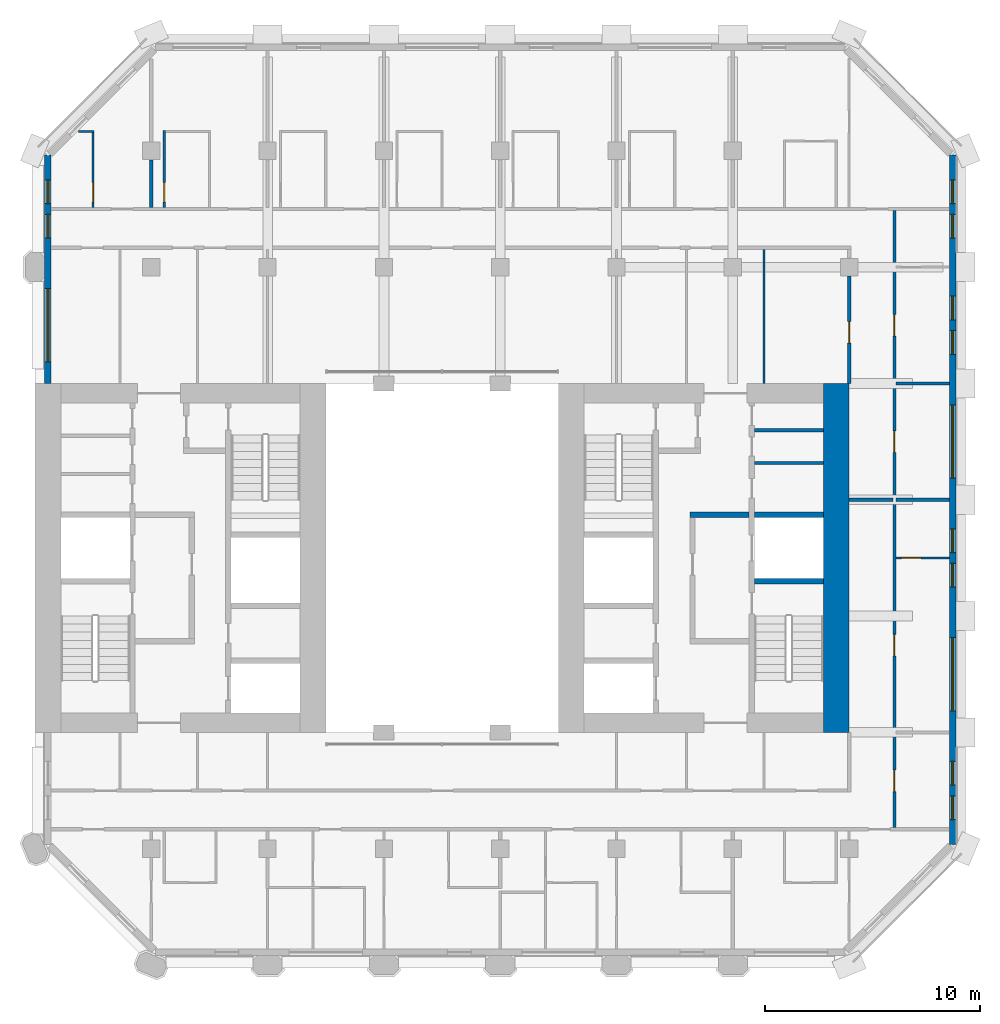
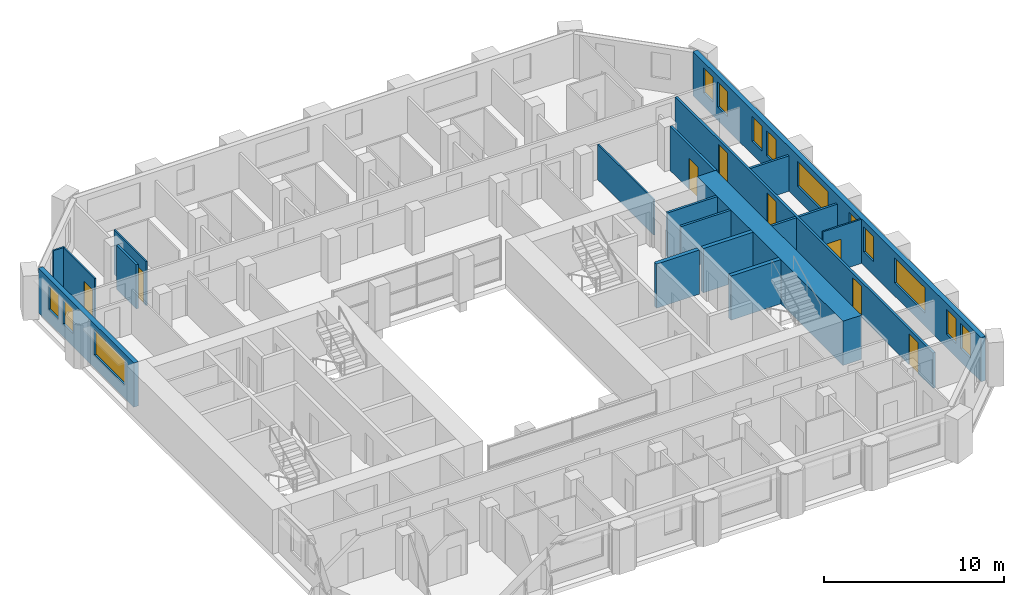
# One storey, part 7 of 12: 19 walls, 13 windows, 8 doors, 21 openings.
"""IFC4 building model written with IfcOpenShell, lengths in metres."""

from ifc_helpers import new_model, si_unit, direction, frame, frame_2d, origin, place, context, subcontext, project, spatial, rectangle, extrude, material, layer, layer_set, type_object, element, fill, save


model = new_model("IFC4")

# Units and contexts
model_context = context("Model", 3, precision=1e-05, world=origin(), true_north=direction((0.0, 1.0)))
body_context = subcontext(model_context, "Body", "Model", "MODEL_VIEW")
ifc_project = project(units=[si_unit("LENGTHUNIT", "METRE"), si_unit("AREAUNIT", "SQUARE_METRE"), si_unit("VOLUMEUNIT", "CUBIC_METRE"), si_unit("PLANEANGLEUNIT", "RADIAN"), si_unit("MASSUNIT", "GRAM", prefix="KILO")], contexts=[model_context])

# Site, building, storey
site_placement = place(None, origin())
site = spatial("IfcSite", under=ifc_project, at=site_placement, CompositionType="ELEMENT")
building_placement = place(site_placement, origin())
building = spatial("IfcBuilding", under=site, at=building_placement, Name="Tabaq Tower and Sports Hall", CompositionType="ELEMENT")
storey_placement = place(building_placement, frame((0.0, 0.0, 184.0)))
storey = spatial("IfcBuildingStorey", under=building, at=storey_placement, Name="L44", CompositionType="ELEMENT", Elevation=184.0)

# Walls
ifc_material_1 = material(Name="Blockwork", Category="masonry")
ifc_layer_1 = layer(ifc_material_1, 0.14990234375)
ifc_layer_set_1 = layer_set([ifc_layer_1], Name="Core room partition 150 Blockwork")
wall_type_1 = type_object("IfcWallType", Name="Core room partition 150 Blockwork", PredefinedType="PARTITIONING", material=ifc_layer_set_1)
for number, where, z_axis, x_axis, name in (
    (1, (38.800048828125, 28.708984375, 0.0), (0.0, 0.0, 1.0), (1.0, 0.0, 0.0), "Core room partition E L44"),
    (2, (38.800048828125, 30.23193359375, 0.0), (0.0, 0.0, 1.0), (1.0, 0.0, 0.0), "Core room partition E L44"),
):
    element("IfcWall", number, at=place(storey_placement, frame(where, z_axis=z_axis, x_axis=x_axis)), inside=storey, type_object=wall_type_1, Name=name, PredefinedType="PARTITIONING", context=body_context, shape_type="SweptSolid", body=[
        extrude(rectangle(XDim=3.199951171875, YDim=0.14990234375, at=frame_2d((1.60009765625, 0.0))), origin(), (0.0, 0.0, 1.0), 3.0),
    ])
ifc_material_2 = material(Name="Concrete C50/60", Category="concrete")
ifc_layer_2 = layer(ifc_material_2, 1.199951171875)
ifc_layer_set_2 = layer_set([ifc_layer_2], Name="Core wall 1200 Concrete C50/60")
wall_type_2 = type_object("IfcWallType", Name="Core wall 1200 Concrete C50/60", PredefinedType="SOLIDWALL", material=ifc_layer_set_2)
wall_1_placement = place(storey_placement, frame((42.60009765625, 32.39990234375, 0.0), z_axis=(0.0, 0.0, 1.0), x_axis=(0.0, -1.0, 0.0)))
element("IfcWall", 3, at=wall_1_placement, inside=storey, type_object=wall_type_2, Name="Core wall E L44", PredefinedType="SOLIDWALL", context=body_context, shape_type="SweptSolid", body=[
    extrude(rectangle(XDim=16.199951171875, YDim=1.199951171875, at=frame_2d((8.10009765625, 0.0))), origin(), (0.0, 0.0, 1.0), 3.0),
])
ifc_material_3 = material(Name="Gypsum board on steel studs", Category="steel")
ifc_layer_3 = layer(ifc_material_3, 0.10009765625)
ifc_layer_set_3 = layer_set([ifc_layer_3], Name="Partition 100 Gypsum board")
wall_type_3 = type_object("IfcWallType", Name="Partition 100 Gypsum board", PredefinedType="PARTITIONING", material=ifc_layer_set_3)
wall_2_placement = place(storey_placement, frame((7.412109375, 44.10009765625, 0.0), z_axis=(0.0, 0.0, 1.0), x_axis=(1.0, 0.0, 0.0)))
element("IfcWall", 4, at=wall_2_placement, inside=storey, type_object=wall_type_3, Name="Partition wall L44", PredefinedType="PARTITIONING", context=body_context, shape_type="SweptSolid", body=[
    extrude(rectangle(XDim=0.73779296875, YDim=0.10009765625, at=frame_2d((0.368896484375, 0.0))), origin(), (0.0, 0.0, 1.0), 3.0),
])

# Wall, opening, door
wall_3_placement = place(storey_placement, frame((8.10009765625, 44.050048828125, 0.0), z_axis=(0.0, 0.0, 1.0), x_axis=(0.0, -1.0, 0.0)))
wall_3 = element("IfcWall", 5, at=wall_3_placement, inside=storey, type_object=wall_type_3, Name="Partition wall L44", PredefinedType="PARTITIONING", context=body_context, shape_type="SweptSolid", body=[
    extrude(rectangle(XDim=3.47509765625, YDim=0.10009765625, at=frame_2d((1.737548828125, 0.0))), origin(), (0.0, 0.0, 1.0), 3.0),
])
opening_1_placement = place(wall_3_placement, frame((2.324951171875, 0.0, 0.0)))
opening_1 = element("IfcOpeningElement", 6, at=opening_1_placement, cuts=wall_3, Name="Opening L44-002", PredefinedType="OPENING", context=body_context, shape_type="SweptSolid", body=[
    extrude(rectangle(XDim=0.89990234375, YDim=2.10009765625, at=frame_2d((0.449951171875, 1.050048828125))), frame((0.0, 0.050048828125, 0.0), z_axis=(0.0, -1.0, 0.0), x_axis=(1.0, 0.0, 0.0)), (0.0, 0.0, 1.0), 0.10009765625),
])
ifc_material_4 = material(Name="Timber leaf in steel frame", Category="steel")
door_type_1 = type_object("IfcDoorType", Name="Internal door 900 left hand", OperationType="SINGLE_SWING_LEFT", PredefinedType="DOOR", material=ifc_material_4)
door_1_placement = place(opening_1_placement, origin())
door_1 = element("IfcDoor", 7, at=door_1_placement, inside=storey, type_object=door_type_1, Name="Internal door L44-002", OperationType="SINGLE_SWING_LEFT", OverallHeight=2.10009765625, OverallWidth=0.89990234375, PredefinedType="DOOR", context=body_context, shape_type="SweptSolid", body=[
    extrude(rectangle(XDim=0.89990234375, YDim=2.10009765625, at=frame_2d((0.449951171875, 1.050048828125))), frame((0.0, 0.02490234375, 0.0), z_axis=(0.0, -1.0, 0.0), x_axis=(1.0, 0.0, 0.0)), (0.0, 0.0, 1.0), 0.050048828125),
])
fill(opening_1, door_1)

wall_4_placement = place(storey_placement, frame((11.39990234375, 40.574951171875, 0.0), z_axis=(0.0, 0.0, 1.0), x_axis=(0.0, 1.0, 0.0)))
wall_4 = element("IfcWall", 8, at=wall_4_placement, inside=storey, type_object=wall_type_3, Name="Partition wall L44", PredefinedType="PARTITIONING", context=body_context, shape_type="SweptSolid", body=[
    extrude(rectangle(XDim=3.574951171875, YDim=0.10009765625, at=frame_2d((1.78759765625, 0.0))), origin(), (0.0, 0.0, 1.0), 3.0),
])
opening_2_placement = place(wall_4_placement, frame((0.25, 0.0, 0.0)))
opening_2 = element("IfcOpeningElement", 9, at=opening_2_placement, cuts=wall_4, Name="Opening L44-003", PredefinedType="OPENING", context=body_context, shape_type="SweptSolid", body=[
    extrude(rectangle(XDim=0.89990234375, YDim=2.10009765625, at=frame_2d((0.449951171875, 1.050048828125))), frame((0.0, 0.050048828125, 0.0), z_axis=(0.0, -1.0, 0.0), x_axis=(1.0, 0.0, 0.0)), (0.0, 0.0, 1.0), 0.10009765625),
])
door_2_placement = place(opening_2_placement, origin())
door_2 = element("IfcDoor", 10, at=door_2_placement, inside=storey, type_object=door_type_1, Name="Internal door L44-003", OperationType="SINGLE_SWING_LEFT", OverallHeight=2.10009765625, OverallWidth=0.89990234375, PredefinedType="DOOR", context=body_context, shape_type="SweptSolid", body=[
    extrude(rectangle(XDim=0.89990234375, YDim=2.10009765625, at=frame_2d((0.449951171875, 1.050048828125))), frame((0.0, 0.02490234375, 0.0), z_axis=(0.0, -1.0, 0.0), x_axis=(1.0, 0.0, 0.0)), (0.0, 0.0, 1.0), 0.050048828125),
])
fill(opening_2, door_2)

# Wall
wall_5_placement = place(storey_placement, frame((39.25, 32.39990234375, 0.0), z_axis=(0.0, 0.0, 1.0), x_axis=(0.0, 1.0, 0.0)))
element("IfcWall", 11, at=wall_5_placement, inside=storey, type_object=wall_type_3, Name="Partition wall L44", PredefinedType="PARTITIONING", context=body_context, shape_type="SweptSolid", body=[
    extrude(rectangle(XDim=6.22509765625, YDim=0.10009765625, at=frame_2d((3.112548828125, 0.0))), origin(), (0.0, 0.0, 1.0), 2.39990234375),
])

# Wall, opening, door
wall_6_placement = place(storey_placement, frame((47.84912109375, 24.300048828125, 0.0), z_axis=(0.0, 0.0, 1.0), x_axis=(-1.0, 0.0, 0.0)))
wall_6 = element("IfcWall", 12, at=wall_6_placement, inside=storey, type_object=wall_type_3, Name="Partition wall L44", PredefinedType="PARTITIONING", context=body_context, shape_type="SweptSolid", body=[
    extrude(rectangle(XDim=2.47412109375, YDim=0.10009765625, at=frame_2d((1.237060546875, 0.0))), origin(), (0.0, 0.0, 1.0), 3.0),
])
opening_3_placement = place(wall_6_placement, frame((1.323974609375, 0.0, 0.0)))
opening_3 = element("IfcOpeningElement", 13, at=opening_3_placement, cuts=wall_6, Name="Opening L44-025", PredefinedType="OPENING", context=body_context, shape_type="SweptSolid", body=[
    extrude(rectangle(XDim=0.89990234375, YDim=2.10009765625, at=frame_2d((0.449951171875, 1.050048828125))), frame((0.0, 0.050048828125, 0.0), z_axis=(0.0, -1.0, 0.0), x_axis=(1.0, 0.0, 0.0)), (0.0, 0.0, 1.0), 0.10009765625),
])
ifc_material_5 = material(Name="Timber leaf in steel frame", Category="steel")
door_type_2 = type_object("IfcDoorType", Name="Internal door 900 right hand", OperationType="SINGLE_SWING_RIGHT", PredefinedType="DOOR", material=ifc_material_5)
door_3_placement = place(opening_3_placement, origin())
door_3 = element("IfcDoor", 14, at=door_3_placement, inside=storey, type_object=door_type_2, Name="Internal door L44-025", OperationType="SINGLE_SWING_RIGHT", OverallHeight=2.10009765625, OverallWidth=0.89990234375, PredefinedType="DOOR", context=body_context, shape_type="SweptSolid", body=[
    extrude(rectangle(XDim=0.89990234375, YDim=2.10009765625, at=frame_2d((0.449951171875, 1.050048828125))), frame((0.0, 0.02490234375, 0.0), z_axis=(0.0, -1.0, 0.0), x_axis=(1.0, 0.0, 0.0)), (0.0, 0.0, 1.0), 0.050048828125),
])
fill(opening_3, door_3)

# Walls
ifc_material_6 = material(Name="Blockwork", Category="masonry")
ifc_layer_4 = layer(ifc_material_6, 0.14990234375)
ifc_layer_set_4 = layer_set([ifc_layer_4], Name="Separating wall 150 Blockwork")
wall_type_4 = type_object("IfcWallType", Name="Separating wall 150 Blockwork", PredefinedType="PARTITIONING", material=ifc_layer_set_4)
wall_7_placement = place(storey_placement, frame((45.375, 32.39990234375, 0.0), z_axis=(0.0, 0.0, 1.0), x_axis=(1.0, 0.0, 0.0)))
element("IfcWall", 15, at=wall_7_placement, inside=storey, type_object=wall_type_4, Name="Separating wall L44", PredefinedType="PARTITIONING", context=body_context, shape_type="SweptSolid", body=[
    extrude(rectangle(XDim=2.47412109375, YDim=0.14990234375, at=frame_2d((1.237060546875, 0.0))), origin(), (0.0, 0.0, 1.0), 2.39990234375),
])
wall_8_placement = place(storey_placement, frame((10.800048828125, 40.574951171875, 0.0), z_axis=(0.0, 0.0, 1.0), x_axis=(0.0, 1.0, 0.0)))
element("IfcWall", 16, at=wall_8_placement, inside=storey, type_object=wall_type_4, Name="Separating wall L44", PredefinedType="PARTITIONING", context=body_context, shape_type="SweptSolid", body=[
    extrude(rectangle(XDim=2.205078125, YDim=0.14990234375, at=frame_2d((1.1025390625, 0.0))), origin(), (0.0, 0.0, 1.0), 3.0),
])
wall_9_placement = place(storey_placement, frame((45.375, 27.0, 0.0), z_axis=(0.0, 0.0, 1.0), x_axis=(1.0, 0.0, 0.0)))
element("IfcWall", 17, at=wall_9_placement, inside=storey, type_object=wall_type_4, Name="Separating wall L44", PredefinedType="PARTITIONING", context=body_context, shape_type="SweptSolid", body=[
    extrude(rectangle(XDim=2.47412109375, YDim=0.14990234375, at=frame_2d((1.237060546875, 0.0))), origin(), (0.0, 0.0, 1.0), 2.39990234375),
])
wall_10_placement = place(storey_placement, frame((43.199951171875, 27.0, 0.0), z_axis=(0.0, 0.0, 1.0), x_axis=(1.0, 0.0, 0.0)))
element("IfcWall", 18, at=wall_10_placement, inside=storey, type_object=wall_type_4, Name="Separating wall L44", PredefinedType="PARTITIONING", context=body_context, shape_type="SweptSolid", body=[
    extrude(rectangle(XDim=2.025146484375, YDim=0.14990234375, at=frame_2d((1.0126953125, 0.0))), origin(), (0.0, 0.0, 1.0), 2.39990234375),
])

# Wall, opening, door
wall_11_placement = place(storey_placement, frame((43.199951171875, 37.3798828125, 0.0), z_axis=(0.0, 0.0, 1.0), x_axis=(0.0, -1.0, 0.0)))
wall_11 = element("IfcWall", 19, at=wall_11_placement, inside=storey, type_object=wall_type_4, Name="Separating wall L44", PredefinedType="PARTITIONING", context=body_context, shape_type="SweptSolid", body=[
    extrude(rectangle(XDim=4.97998046875, YDim=0.14990234375, at=frame_2d((2.489990234375, 0.0))), origin(), (0.0, 0.0, 1.0), 3.0),
])
opening_4_placement = place(wall_11_placement, frame((2.113037109375, 0.0, 0.0)))
opening_4 = element("IfcOpeningElement", 20, at=opening_4_placement, cuts=wall_11, Name="Opening L44-013", PredefinedType="OPENING", context=body_context, shape_type="SweptSolid", body=[
    extrude(rectangle(XDim=1.0, YDim=2.10009765625, at=frame_2d((0.5, 1.050048828125))), frame((0.0, 0.074951171875, 0.0), z_axis=(0.0, -1.0, 0.0), x_axis=(1.0, 0.0, 0.0)), (0.0, 0.0, 1.0), 0.14990234375),
])
ifc_material_7 = material(Name="Timber leaf in steel frame", Category="steel")
door_type_3 = type_object("IfcDoorType", Name="Internal door 1000 left hand", OperationType="SINGLE_SWING_LEFT", PredefinedType="DOOR", material=ifc_material_7)
door_4_placement = place(opening_4_placement, origin())
door_4 = element("IfcDoor", 21, at=door_4_placement, inside=storey, type_object=door_type_3, Name="Internal door L44-013", OperationType="SINGLE_SWING_LEFT", OverallHeight=2.10009765625, OverallWidth=1.0, PredefinedType="DOOR", context=body_context, shape_type="SweptSolid", body=[
    extrude(rectangle(XDim=1.0, YDim=2.10009765625, at=frame_2d((0.5, 1.050048828125))), frame((0.0, 0.02490234375, 0.0), z_axis=(0.0, -1.0, 0.0), x_axis=(1.0, 0.0, 0.0)), (0.0, 0.0, 1.0), 0.050048828125),
])
fill(opening_4, door_4)

# Wall, openings, doors
wall_12_placement = place(storey_placement, frame((45.300048828125, 40.425048828125, 0.0), z_axis=(0.0, 0.0, 1.0), x_axis=(0.0, -1.0, 0.0)))
wall_12 = element("IfcWall", 22, at=wall_12_placement, inside=storey, type_object=wall_type_4, Name="Separating wall L44", PredefinedType="PARTITIONING", context=body_context, shape_type="SweptSolid", body=[
    extrude(rectangle(XDim=28.650146484375, YDim=0.14990234375, at=frame_2d((14.3251953125, 0.0))), origin(), (0.0, 0.0, 1.0), 2.39990234375),
])
opening_5_placement = place(wall_12_placement, frame((10.22509765625, 0.0, 0.0)))
opening_5 = element("IfcOpeningElement", 23, at=opening_5_placement, cuts=wall_12, Name="Opening L44-010", PredefinedType="OPENING", context=body_context, shape_type="SweptSolid", body=[
    extrude(rectangle(XDim=1.0, YDim=2.10009765625, at=frame_2d((0.5, 1.050048828125))), frame((0.0, 0.074951171875, 0.0), z_axis=(0.0, -1.0, 0.0), x_axis=(1.0, 0.0, 0.0)), (0.0, 0.0, 1.0), 0.14990234375),
])
opening_6_placement = place(wall_12_placement, frame((25.97509765625, 0.0, 0.0)))
opening_6 = element("IfcOpeningElement", 24, at=opening_6_placement, cuts=wall_12, Name="Opening L44-015", PredefinedType="OPENING", context=body_context, shape_type="SweptSolid", body=[
    extrude(rectangle(XDim=1.0, YDim=2.10009765625, at=frame_2d((0.5, 1.050048828125))), frame((0.0, 0.074951171875, 0.0), z_axis=(0.0, -1.0, 0.0), x_axis=(1.0, 0.0, 0.0)), (0.0, 0.0, 1.0), 0.14990234375),
])
opening_7_placement = place(wall_12_placement, frame((4.824951171875, 0.0, 0.0)))
opening_7 = element("IfcOpeningElement", 25, at=opening_7_placement, cuts=wall_12, Name="Opening L44-030", PredefinedType="OPENING", context=body_context, shape_type="SweptSolid", body=[
    extrude(rectangle(XDim=1.0, YDim=2.10009765625, at=frame_2d((0.5, 1.050048828125))), frame((0.0, 0.074951171875, 0.0), z_axis=(0.0, -1.0, 0.0), x_axis=(1.0, 0.0, 0.0)), (0.0, 0.0, 1.0), 0.14990234375),
])
opening_8_placement = place(wall_12_placement, frame((19.675048828125, 0.0, 0.0)))
opening_8 = element("IfcOpeningElement", 26, at=opening_8_placement, cuts=wall_12, Name="Opening L44-047", PredefinedType="OPENING", context=body_context, shape_type="SweptSolid", body=[
    extrude(rectangle(XDim=1.0, YDim=2.10009765625, at=frame_2d((0.5, 1.050048828125))), frame((0.0, 0.074951171875, 0.0), z_axis=(0.0, -1.0, 0.0), x_axis=(1.0, 0.0, 0.0)), (0.0, 0.0, 1.0), 0.14990234375),
])
ifc_material_8 = material(Name="Steel fire door", Category="steel")
door_type_4 = type_object("IfcDoorType", Name="Entrance door 1000 left hand", OperationType="SINGLE_SWING_LEFT", PredefinedType="DOOR", material=ifc_material_8)
door_5_placement = place(opening_7_placement, origin())
door_5 = element("IfcDoor", 27, at=door_5_placement, inside=storey, type_object=door_type_4, Name="Entrance door L44-030", OperationType="SINGLE_SWING_LEFT", OverallHeight=2.10009765625, OverallWidth=1.0, PredefinedType="DOOR", context=body_context, shape_type="SweptSolid", body=[
    extrude(rectangle(XDim=1.0, YDim=2.10009765625, at=frame_2d((0.5, 1.050048828125))), frame((0.0, 0.02490234375, 0.0), z_axis=(0.0, -1.0, 0.0), x_axis=(1.0, 0.0, 0.0)), (0.0, 0.0, 1.0), 0.050048828125),
])
fill(opening_7, door_5)
door_6_placement = place(opening_8_placement, origin())
door_6 = element("IfcDoor", 28, at=door_6_placement, inside=storey, type_object=door_type_4, Name="Entrance door L44-047", OperationType="SINGLE_SWING_LEFT", OverallHeight=2.10009765625, OverallWidth=1.0, PredefinedType="DOOR", context=body_context, shape_type="SweptSolid", body=[
    extrude(rectangle(XDim=1.0, YDim=2.10009765625, at=frame_2d((0.5, 1.050048828125))), frame((0.0, 0.02490234375, 0.0), z_axis=(0.0, -1.0, 0.0), x_axis=(1.0, 0.0, 0.0)), (0.0, 0.0, 1.0), 0.050048828125),
])
fill(opening_8, door_6)
door_7_placement = place(opening_6_placement, origin())
door_7 = element("IfcDoor", 29, at=door_7_placement, inside=storey, type_object=door_type_3, Name="Internal door L44-015", OperationType="SINGLE_SWING_LEFT", OverallHeight=2.10009765625, OverallWidth=1.0, PredefinedType="DOOR", context=body_context, shape_type="SweptSolid", body=[
    extrude(rectangle(XDim=1.0, YDim=2.10009765625, at=frame_2d((0.5, 1.050048828125))), frame((0.0, 0.02490234375, 0.0), z_axis=(0.0, -1.0, 0.0), x_axis=(1.0, 0.0, 0.0)), (0.0, 0.0, 1.0), 0.050048828125),
])
fill(opening_6, door_7)
ifc_material_9 = material(Name="Timber leaf in steel frame", Category="steel")
door_type_5 = type_object("IfcDoorType", Name="Internal door 1000 right hand", OperationType="SINGLE_SWING_RIGHT", PredefinedType="DOOR", material=ifc_material_9)
door_8_placement = place(opening_5_placement, origin())
door_8 = element("IfcDoor", 30, at=door_8_placement, inside=storey, type_object=door_type_5, Name="Internal door L44-010", OperationType="SINGLE_SWING_RIGHT", OverallHeight=2.10009765625, OverallWidth=1.0, PredefinedType="DOOR", context=body_context, shape_type="SweptSolid", body=[
    extrude(rectangle(XDim=1.0, YDim=2.10009765625, at=frame_2d((0.5, 1.050048828125))), frame((0.0, 0.02490234375, 0.0), z_axis=(0.0, -1.0, 0.0), x_axis=(1.0, 0.0, 0.0)), (0.0, 0.0, 1.0), 0.050048828125),
])
fill(opening_5, door_8)

# Walls
ifc_material_10 = material(Name="Concrete C40/50", Category="concrete")
ifc_layer_5 = layer(ifc_material_10, 0.25)
ifc_layer_set_5 = layer_set([ifc_layer_5], Name="Shaft and stair wall 250 Concrete C40/50")
wall_type_5 = type_object("IfcWallType", Name="Shaft and stair wall 250 Concrete C40/50", PredefinedType="SOLIDWALL", material=ifc_layer_set_5)
for number, where, z_axis, x_axis, name in (
    (31, (38.800048828125, 23.22509765625, 0.0), (0.0, 0.0, 1.0), (1.0, 0.0, 0.0), "Stair enclosure wall E L44"),
    (32, (38.800048828125, 26.300048828125, 0.0), (0.0, 0.0, 1.0), (1.0, 0.0, 0.0), "Shaft wall E L44"),
):
    element("IfcWall", number, at=place(storey_placement, frame(where, z_axis=z_axis, x_axis=x_axis)), inside=storey, type_object=wall_type_5, Name=name, PredefinedType="SOLIDWALL", context=body_context, shape_type="SweptSolid", body=[
        extrude(rectangle(XDim=3.199951171875, YDim=0.25, at=frame_2d((1.60009765625, 0.0))), origin(), (0.0, 0.0, 1.0), 3.0),
    ])
wall_13_placement = place(storey_placement, frame((35.800048828125, 26.300048828125, 0.0), z_axis=(0.0, 0.0, 1.0), x_axis=(1.0, 0.0, 0.0)))
element("IfcWall", 33, at=wall_13_placement, inside=storey, type_object=wall_type_5, Name="Fire-fighting lobby wall E L44", PredefinedType="SOLIDWALL", context=body_context, shape_type="SweptSolid", body=[
    extrude(rectangle(XDim=2.75, YDim=0.25, at=frame_2d((1.375, 0.0))), origin(), (0.0, 0.0, 1.0), 3.0),
])

# Wall, openings, windows
ifc_material_11 = material(Name="White precast concrete C60/75", Category="concrete")
ifc_layer_6 = layer(ifc_material_11, 0.300048828125)
ifc_layer_set_6 = layer_set([ifc_layer_6], Name="White precast concrete C60/75 external wall 300")
wall_type_6 = type_object("IfcWallType", Name="White precast concrete C60/75 external wall 300", PredefinedType="SOLIDWALL", material=ifc_layer_set_6)
wall_14_placement = place(storey_placement, frame((48.0, 10.986328125, 0.0), z_axis=(0.0, 0.0, 1.0), x_axis=(0.0, 1.0, 0.0)))
wall_14 = element("IfcWall", 34, at=wall_14_placement, inside=storey, type_object=wall_type_6, Name="External Wall L44 E", PredefinedType="SOLIDWALL", context=body_context, shape_type="SweptSolid", body=[
    extrude(rectangle(XDim=32.02734375, YDim=0.300048828125, at=frame_2d((16.013671875, 0.0))), origin(), (0.0, 0.0, 1.0), 3.0),
])
opening_9_placement = place(wall_14_placement, frame((1.16357421875, 0.0, 0.89990234375)))
opening_9 = element("IfcOpeningElement", 35, at=opening_9_placement, cuts=wall_14, Name="Opening W1B", PredefinedType="OPENING", context=body_context, shape_type="SweptSolid", body=[
    extrude(rectangle(XDim=1.10009765625, YDim=1.699951171875, at=frame_2d((0.550048828125, 0.85009765625))), frame((0.0, 0.16015625, 0.0), z_axis=(0.0, -1.0, 0.0), x_axis=(1.0, 0.0, 0.0)), (0.0, 0.0, 1.0), 0.320068359375),
])
opening_10_placement = place(wall_14_placement, frame((2.763671875, 0.0, 0.89990234375)))
opening_10 = element("IfcOpeningElement", 36, at=opening_10_placement, cuts=wall_14, Name="Opening W1B", PredefinedType="OPENING", context=body_context, shape_type="SweptSolid", body=[
    extrude(rectangle(XDim=1.10009765625, YDim=1.699951171875, at=frame_2d((0.550048828125, 0.85009765625))), frame((0.0, 0.16015625, 0.0), z_axis=(0.0, -1.0, 0.0), x_axis=(1.0, 0.0, 0.0)), (0.0, 0.0, 1.0), 0.320068359375),
])
opening_11_placement = place(wall_14_placement, frame((6.213623046875, 0.0, 0.89990234375)))
opening_11 = element("IfcOpeningElement", 37, at=opening_11_placement, cuts=wall_14, Name="Opening W1A", PredefinedType="OPENING", context=body_context, shape_type="SweptSolid", body=[
    extrude(rectangle(XDim=3.39990234375, YDim=1.699951171875, at=frame_2d((1.699951171875, 0.85009765625))), frame((0.0, 0.16015625, 0.0), z_axis=(0.0, -1.0, 0.0), x_axis=(1.0, 0.0, 0.0)), (0.0, 0.0, 1.0), 0.320068359375),
])
opening_12_placement = place(wall_14_placement, frame((11.963623046875, 0.0, 0.89990234375)))
opening_12 = element("IfcOpeningElement", 38, at=opening_12_placement, cuts=wall_14, Name="Opening W1B", PredefinedType="OPENING", context=body_context, shape_type="SweptSolid", body=[
    extrude(rectangle(XDim=1.10009765625, YDim=1.699951171875, at=frame_2d((0.550048828125, 0.85009765625))), frame((0.0, 0.16015625, 0.0), z_axis=(0.0, -1.0, 0.0), x_axis=(1.0, 0.0, 0.0)), (0.0, 0.0, 1.0), 0.320068359375),
])
opening_13_placement = place(wall_14_placement, frame((13.563720703125, 0.0, 0.89990234375)))
opening_13 = element("IfcOpeningElement", 39, at=opening_13_placement, cuts=wall_14, Name="Opening W1B", PredefinedType="OPENING", context=body_context, shape_type="SweptSolid", body=[
    extrude(rectangle(XDim=1.10009765625, YDim=1.699951171875, at=frame_2d((0.550048828125, 0.85009765625))), frame((0.0, 0.16015625, 0.0), z_axis=(0.0, -1.0, 0.0), x_axis=(1.0, 0.0, 0.0)), (0.0, 0.0, 1.0), 0.320068359375),
])
opening_14_placement = place(wall_14_placement, frame((17.013671875, 0.0, 0.89990234375)))
opening_14 = element("IfcOpeningElement", 40, at=opening_14_placement, cuts=wall_14, Name="Opening W1A", PredefinedType="OPENING", context=body_context, shape_type="SweptSolid", body=[
    extrude(rectangle(XDim=3.39990234375, YDim=1.699951171875, at=frame_2d((1.699951171875, 0.85009765625))), frame((0.0, 0.16015625, 0.0), z_axis=(0.0, -1.0, 0.0), x_axis=(1.0, 0.0, 0.0)), (0.0, 0.0, 1.0), 0.320068359375),
])
opening_15_placement = place(wall_14_placement, frame((22.763671875, 0.0, 0.89990234375)))
opening_15 = element("IfcOpeningElement", 41, at=opening_15_placement, cuts=wall_14, Name="Opening W1B", PredefinedType="OPENING", context=body_context, shape_type="SweptSolid", body=[
    extrude(rectangle(XDim=1.10009765625, YDim=1.699951171875, at=frame_2d((0.550048828125, 0.85009765625))), frame((0.0, 0.16015625, 0.0), z_axis=(0.0, -1.0, 0.0), x_axis=(1.0, 0.0, 0.0)), (0.0, 0.0, 1.0), 0.320068359375),
])
opening_16_placement = place(wall_14_placement, frame((24.363525390625, 0.0, 0.89990234375)))
opening_16 = element("IfcOpeningElement", 42, at=opening_16_placement, cuts=wall_14, Name="Opening W1B", PredefinedType="OPENING", context=body_context, shape_type="SweptSolid", body=[
    extrude(rectangle(XDim=1.10009765625, YDim=1.699951171875, at=frame_2d((0.550048828125, 0.85009765625))), frame((0.0, 0.16015625, 0.0), z_axis=(0.0, -1.0, 0.0), x_axis=(1.0, 0.0, 0.0)), (0.0, 0.0, 1.0), 0.320068359375),
])
opening_17_placement = place(wall_14_placement, frame((28.16357421875, 0.0, 0.89990234375)))
opening_17 = element("IfcOpeningElement", 43, at=opening_17_placement, cuts=wall_14, Name="Opening W1B", PredefinedType="OPENING", context=body_context, shape_type="SweptSolid", body=[
    extrude(rectangle(XDim=1.10009765625, YDim=1.699951171875, at=frame_2d((0.550048828125, 0.85009765625))), frame((0.0, 0.16015625, 0.0), z_axis=(0.0, -1.0, 0.0), x_axis=(1.0, 0.0, 0.0)), (0.0, 0.0, 1.0), 0.320068359375),
])
opening_18_placement = place(wall_14_placement, frame((29.763671875, 0.0, 0.89990234375)))
opening_18 = element("IfcOpeningElement", 44, at=opening_18_placement, cuts=wall_14, Name="Opening W1B", PredefinedType="OPENING", context=body_context, shape_type="SweptSolid", body=[
    extrude(rectangle(XDim=1.10009765625, YDim=1.699951171875, at=frame_2d((0.550048828125, 0.85009765625))), frame((0.0, 0.16015625, 0.0), z_axis=(0.0, -1.0, 0.0), x_axis=(1.0, 0.0, 0.0)), (0.0, 0.0, 1.0), 0.320068359375),
])
ifc_material_12 = material(Name="Aluminium framed clear glazing", Category="aluminium")
window_type_1 = type_object("IfcWindowType", Name="Window W1A", PartitioningType="SINGLE_PANEL", PredefinedType="WINDOW", material=ifc_material_12)
window_1_placement = place(opening_11_placement, origin())
window_1 = element("IfcWindow", 45, at=window_1_placement, inside=storey, type_object=window_type_1, Name="Window W1A L44", OverallHeight=1.699951171875, OverallWidth=3.39990234375, PartitioningType="SINGLE_PANEL", PredefinedType="WINDOW", context=body_context, shape_type="SweptSolid", body=[
    extrude(rectangle(XDim=3.39990234375, YDim=1.699951171875, at=frame_2d((1.699951171875, 0.85009765625))), frame((0.0, 0.030029296875, 0.0), z_axis=(0.0, -1.0, 0.0), x_axis=(1.0, 0.0, 0.0)), (0.0, 0.0, 1.0), 0.06005859375),
])
fill(opening_11, window_1)
window_2_placement = place(opening_14_placement, origin())
window_2 = element("IfcWindow", 46, at=window_2_placement, inside=storey, type_object=window_type_1, Name="Window W1A L44", OverallHeight=1.699951171875, OverallWidth=3.39990234375, PartitioningType="SINGLE_PANEL", PredefinedType="WINDOW", context=body_context, shape_type="SweptSolid", body=[
    extrude(rectangle(XDim=3.39990234375, YDim=1.699951171875, at=frame_2d((1.699951171875, 0.85009765625))), frame((0.0, 0.030029296875, 0.0), z_axis=(0.0, -1.0, 0.0), x_axis=(1.0, 0.0, 0.0)), (0.0, 0.0, 1.0), 0.06005859375),
])
fill(opening_14, window_2)
ifc_material_13 = material(Name="Aluminium framed clear glazing", Category="aluminium")
window_type_2 = type_object("IfcWindowType", Name="Window W1B", PartitioningType="SINGLE_PANEL", PredefinedType="WINDOW", material=ifc_material_13)
window_3_placement = place(opening_9_placement, origin())
window_3 = element("IfcWindow", 47, at=window_3_placement, inside=storey, type_object=window_type_2, Name="Window W1B L44", OverallHeight=1.699951171875, OverallWidth=1.10009765625, PartitioningType="SINGLE_PANEL", PredefinedType="WINDOW", context=body_context, shape_type="SweptSolid", body=[
    extrude(rectangle(XDim=1.10009765625, YDim=1.699951171875, at=frame_2d((0.550048828125, 0.85009765625))), frame((0.0, 0.030029296875, 0.0), z_axis=(0.0, -1.0, 0.0), x_axis=(1.0, 0.0, 0.0)), (0.0, 0.0, 1.0), 0.06005859375),
])
fill(opening_9, window_3)
window_4_placement = place(opening_10_placement, origin())
window_4 = element("IfcWindow", 48, at=window_4_placement, inside=storey, type_object=window_type_2, Name="Window W1B L44", OverallHeight=1.699951171875, OverallWidth=1.10009765625, PartitioningType="SINGLE_PANEL", PredefinedType="WINDOW", context=body_context, shape_type="SweptSolid", body=[
    extrude(rectangle(XDim=1.10009765625, YDim=1.699951171875, at=frame_2d((0.550048828125, 0.85009765625))), frame((0.0, 0.030029296875, 0.0), z_axis=(0.0, -1.0, 0.0), x_axis=(1.0, 0.0, 0.0)), (0.0, 0.0, 1.0), 0.06005859375),
])
fill(opening_10, window_4)
window_5_placement = place(opening_12_placement, origin())
window_5 = element("IfcWindow", 49, at=window_5_placement, inside=storey, type_object=window_type_2, Name="Window W1B L44", OverallHeight=1.699951171875, OverallWidth=1.10009765625, PartitioningType="SINGLE_PANEL", PredefinedType="WINDOW", context=body_context, shape_type="SweptSolid", body=[
    extrude(rectangle(XDim=1.10009765625, YDim=1.699951171875, at=frame_2d((0.550048828125, 0.85009765625))), frame((0.0, 0.030029296875, 0.0), z_axis=(0.0, -1.0, 0.0), x_axis=(1.0, 0.0, 0.0)), (0.0, 0.0, 1.0), 0.06005859375),
])
fill(opening_12, window_5)
window_6_placement = place(opening_13_placement, origin())
window_6 = element("IfcWindow", 50, at=window_6_placement, inside=storey, type_object=window_type_2, Name="Window W1B L44", OverallHeight=1.699951171875, OverallWidth=1.10009765625, PartitioningType="SINGLE_PANEL", PredefinedType="WINDOW", context=body_context, shape_type="SweptSolid", body=[
    extrude(rectangle(XDim=1.10009765625, YDim=1.699951171875, at=frame_2d((0.550048828125, 0.85009765625))), frame((0.0, 0.030029296875, 0.0), z_axis=(0.0, -1.0, 0.0), x_axis=(1.0, 0.0, 0.0)), (0.0, 0.0, 1.0), 0.06005859375),
])
fill(opening_13, window_6)
window_7_placement = place(opening_15_placement, origin())
window_7 = element("IfcWindow", 51, at=window_7_placement, inside=storey, type_object=window_type_2, Name="Window W1B L44", OverallHeight=1.699951171875, OverallWidth=1.10009765625, PartitioningType="SINGLE_PANEL", PredefinedType="WINDOW", context=body_context, shape_type="SweptSolid", body=[
    extrude(rectangle(XDim=1.10009765625, YDim=1.699951171875, at=frame_2d((0.550048828125, 0.85009765625))), frame((0.0, 0.030029296875, 0.0), z_axis=(0.0, -1.0, 0.0), x_axis=(1.0, 0.0, 0.0)), (0.0, 0.0, 1.0), 0.06005859375),
])
fill(opening_15, window_7)
window_8_placement = place(opening_16_placement, origin())
window_8 = element("IfcWindow", 52, at=window_8_placement, inside=storey, type_object=window_type_2, Name="Window W1B L44", OverallHeight=1.699951171875, OverallWidth=1.10009765625, PartitioningType="SINGLE_PANEL", PredefinedType="WINDOW", context=body_context, shape_type="SweptSolid", body=[
    extrude(rectangle(XDim=1.10009765625, YDim=1.699951171875, at=frame_2d((0.550048828125, 0.85009765625))), frame((0.0, 0.030029296875, 0.0), z_axis=(0.0, -1.0, 0.0), x_axis=(1.0, 0.0, 0.0)), (0.0, 0.0, 1.0), 0.06005859375),
])
fill(opening_16, window_8)
window_9_placement = place(opening_17_placement, origin())
window_9 = element("IfcWindow", 53, at=window_9_placement, inside=storey, type_object=window_type_2, Name="Window W1B L44", OverallHeight=1.699951171875, OverallWidth=1.10009765625, PartitioningType="SINGLE_PANEL", PredefinedType="WINDOW", context=body_context, shape_type="SweptSolid", body=[
    extrude(rectangle(XDim=1.10009765625, YDim=1.699951171875, at=frame_2d((0.550048828125, 0.85009765625))), frame((0.0, 0.030029296875, 0.0), z_axis=(0.0, -1.0, 0.0), x_axis=(1.0, 0.0, 0.0)), (0.0, 0.0, 1.0), 0.06005859375),
])
fill(opening_17, window_9)
window_10_placement = place(opening_18_placement, origin())
window_10 = element("IfcWindow", 54, at=window_10_placement, inside=storey, type_object=window_type_2, Name="Window W1B L44", OverallHeight=1.699951171875, OverallWidth=1.10009765625, PartitioningType="SINGLE_PANEL", PredefinedType="WINDOW", context=body_context, shape_type="SweptSolid", body=[
    extrude(rectangle(XDim=1.10009765625, YDim=1.699951171875, at=frame_2d((0.550048828125, 0.85009765625))), frame((0.0, 0.030029296875, 0.0), z_axis=(0.0, -1.0, 0.0), x_axis=(1.0, 0.0, 0.0)), (0.0, 0.0, 1.0), 0.06005859375),
])
fill(opening_18, window_10)

wall_15_placement = place(storey_placement, frame((6.0, 43.013671875, 0.0), z_axis=(0.0, 0.0, 1.0), x_axis=(0.0, -1.0, 0.0)))
wall_15 = element("IfcWall", 55, at=wall_15_placement, inside=storey, type_object=wall_type_6, Name="External Wall L44 W", PredefinedType="SOLIDWALL", context=body_context, shape_type="SweptSolid", body=[
    extrude(rectangle(XDim=10.61376953125, YDim=0.300048828125, at=frame_2d((5.306884765625, 0.0))), origin(), (0.0, 0.0, 1.0), 3.0),
])
opening_19_placement = place(wall_15_placement, frame((1.16357421875, 0.0, 0.89990234375)))
opening_19 = element("IfcOpeningElement", 56, at=opening_19_placement, cuts=wall_15, Name="Opening W1B", PredefinedType="OPENING", context=body_context, shape_type="SweptSolid", body=[
    extrude(rectangle(XDim=1.10009765625, YDim=1.699951171875, at=frame_2d((0.550048828125, 0.85009765625))), frame((0.0, 0.16015625, 0.0), z_axis=(0.0, -1.0, 0.0), x_axis=(1.0, 0.0, 0.0)), (0.0, 0.0, 1.0), 0.320068359375),
])
opening_20_placement = place(wall_15_placement, frame((2.763671875, 0.0, 0.89990234375)))
opening_20 = element("IfcOpeningElement", 57, at=opening_20_placement, cuts=wall_15, Name="Opening W1B", PredefinedType="OPENING", context=body_context, shape_type="SweptSolid", body=[
    extrude(rectangle(XDim=1.10009765625, YDim=1.699951171875, at=frame_2d((0.550048828125, 0.85009765625))), frame((0.0, 0.16015625, 0.0), z_axis=(0.0, -1.0, 0.0), x_axis=(1.0, 0.0, 0.0)), (0.0, 0.0, 1.0), 0.320068359375),
])
opening_21_placement = place(wall_15_placement, frame((6.213623046875, 0.0, 0.89990234375)))
opening_21 = element("IfcOpeningElement", 58, at=opening_21_placement, cuts=wall_15, Name="Opening W1A", PredefinedType="OPENING", context=body_context, shape_type="SweptSolid", body=[
    extrude(rectangle(XDim=3.39990234375, YDim=1.699951171875, at=frame_2d((1.699951171875, 0.85009765625))), frame((0.0, 0.16015625, 0.0), z_axis=(0.0, -1.0, 0.0), x_axis=(1.0, 0.0, 0.0)), (0.0, 0.0, 1.0), 0.320068359375),
])
window_11_placement = place(opening_21_placement, origin())
window_11 = element("IfcWindow", 59, at=window_11_placement, inside=storey, type_object=window_type_1, Name="Window W1A L44", OverallHeight=1.699951171875, OverallWidth=3.39990234375, PartitioningType="SINGLE_PANEL", PredefinedType="WINDOW", context=body_context, shape_type="SweptSolid", body=[
    extrude(rectangle(XDim=3.39990234375, YDim=1.699951171875, at=frame_2d((1.699951171875, 0.85009765625))), frame((0.0, 0.030029296875, 0.0), z_axis=(0.0, -1.0, 0.0), x_axis=(1.0, 0.0, 0.0)), (0.0, 0.0, 1.0), 0.06005859375),
])
fill(opening_21, window_11)
window_12_placement = place(opening_19_placement, origin())
window_12 = element("IfcWindow", 60, at=window_12_placement, inside=storey, type_object=window_type_2, Name="Window W1B L44", OverallHeight=1.699951171875, OverallWidth=1.10009765625, PartitioningType="SINGLE_PANEL", PredefinedType="WINDOW", context=body_context, shape_type="SweptSolid", body=[
    extrude(rectangle(XDim=1.10009765625, YDim=1.699951171875, at=frame_2d((0.550048828125, 0.85009765625))), frame((0.0, 0.030029296875, 0.0), z_axis=(0.0, -1.0, 0.0), x_axis=(1.0, 0.0, 0.0)), (0.0, 0.0, 1.0), 0.06005859375),
])
fill(opening_19, window_12)
window_13_placement = place(opening_20_placement, origin())
window_13 = element("IfcWindow", 61, at=window_13_placement, inside=storey, type_object=window_type_2, Name="Window W1B L44", OverallHeight=1.699951171875, OverallWidth=1.10009765625, PartitioningType="SINGLE_PANEL", PredefinedType="WINDOW", context=body_context, shape_type="SweptSolid", body=[
    extrude(rectangle(XDim=1.10009765625, YDim=1.699951171875, at=frame_2d((0.550048828125, 0.85009765625))), frame((0.0, 0.030029296875, 0.0), z_axis=(0.0, -1.0, 0.0), x_axis=(1.0, 0.0, 0.0)), (0.0, 0.0, 1.0), 0.06005859375),
])
fill(opening_20, window_13)

save(model, "model.ifc")
